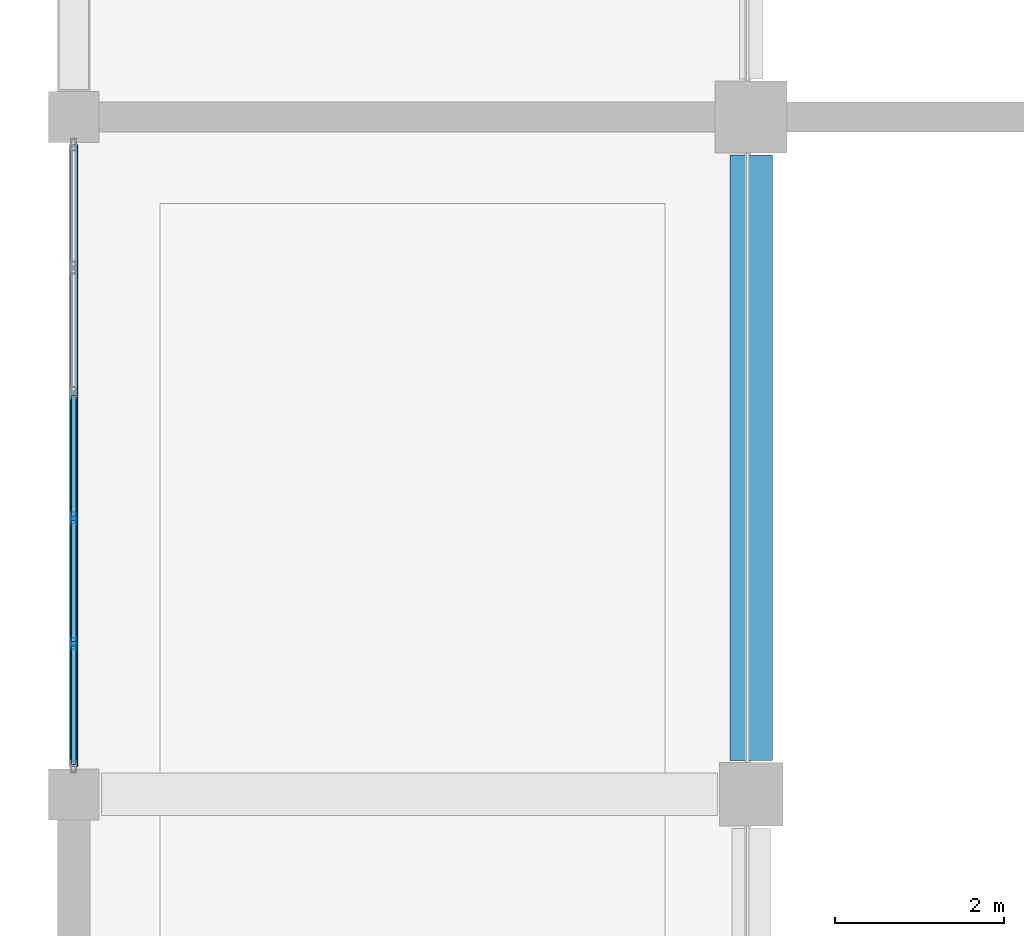
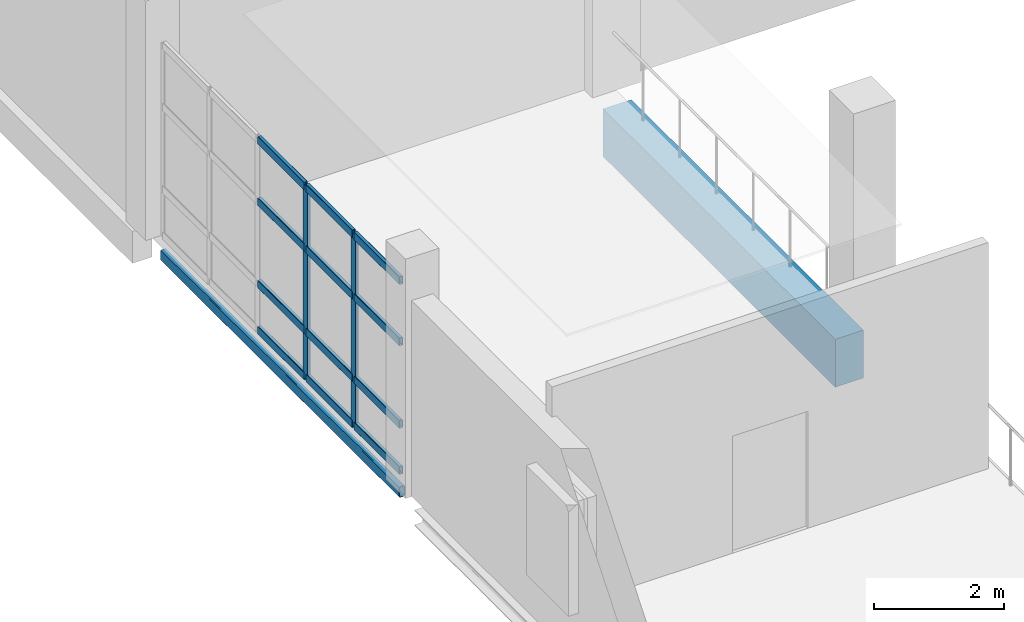
# One storey, part 44 of 183: 14 members, 2 beams, 1 element without a shape of its own.
"""IFC4 building model written with IfcOpenShell, lengths in metres."""

from ifc_helpers import new_model, si_unit, direction, frame, origin, origin_2d, place, context, subcontext, project, spatial, rectangle, hollow_rectangle, extrude, material, material_profile, profile_set, type_object, element, aggregate, save


model = new_model("IFC4")

# Units and contexts
model_context = context("Model", 3, precision=1e-05, world=origin(), true_north=direction((0.0, 1.0)))
body_context = subcontext(model_context, "Body", "Model", "MODEL_VIEW")
ifc_project = project(units=[si_unit("LENGTHUNIT", "METRE"), si_unit("AREAUNIT", "SQUARE_METRE"), si_unit("VOLUMEUNIT", "CUBIC_METRE"), si_unit("PLANEANGLEUNIT", "RADIAN"), si_unit("MASSUNIT", "GRAM", prefix="KILO")], contexts=[model_context])

# Site, building, storey
site_placement = place(None, origin())
site = spatial("IfcSite", under=ifc_project, at=site_placement, CompositionType="ELEMENT")
building_placement = place(site_placement, origin())
building = spatial("IfcBuilding", under=site, at=building_placement, Name="Luwemba Playhouse", CompositionType="ELEMENT")
storey_placement = place(building_placement, frame((0.0, 0.0, 4.800048828125)))
storey = spatial("IfcBuildingStorey", under=building, at=storey_placement, Name="L01", CompositionType="ELEMENT", Elevation=4.800048828125)

# Beams
ifc_material_1 = material(Name="Concrete C40/50", Category="concrete")
ifc_material_profile_1 = material_profile(ifc_material_1, rectangle(XDim=0.5, YDim=0.89990234375, at=origin_2d()))
ifc_profile_set_1 = profile_set([ifc_material_profile_1], Name="Concrete C40/50")
beam_type_1 = type_object("IfcBeamType", Name="BM-RB07", PredefinedType="BEAM", material=ifc_profile_set_1)
beam_1_placement = place(storey_placement, frame((12.0, 60.39990234375, -0.699951171875), z_axis=(0.0, 1.0, 0.0), x_axis=(-1.0, 0.0, 0.0)))
element("IfcBeam", 1, at=beam_1_placement, inside=storey, type_object=beam_type_1, Name="L01 transverse girder 0363", PredefinedType="BEAM", context=body_context, shape_type="SweptSolid", body=[
    extrude(rectangle(XDim=0.5, YDim=0.89990234375, at=origin_2d()), origin(), (0.0, 0.0, 1.0), 7.150146484375),
])
ifc_material_2 = material(Name="Steel S355", Category="steel")
ifc_material_profile_2 = material_profile(ifc_material_2, hollow_rectangle(XDim=0.10009765625, YDim=0.199951171875, WallThickness=0.008056640625, InnerFilletRadius=0.011962890625, OuterFilletRadius=0.02001953125, at=origin_2d()))
ifc_profile_set_2 = profile_set([ifc_material_profile_2], Name="Steel S355")
beam_type_2 = type_object("IfcBeamType", Name="BM-SSP2", PredefinedType="SPANDREL", material=ifc_profile_set_2)
beam_2_placement = place(storey_placement, frame((4.0, 60.324951171875, -0.35009765625), z_axis=(0.0, 1.0, 0.0), x_axis=(-1.0, 0.0, 0.0)))
element("IfcBeam", 2, at=beam_2_placement, inside=storey, type_object=beam_type_2, Name="L01 transverse girder 0359", PredefinedType="SPANDREL", context=body_context, shape_type="SweptSolid", body=[
    extrude(hollow_rectangle(XDim=0.10009765625, YDim=0.199951171875, WallThickness=0.008056640625, InnerFilletRadius=0.011962890625, OuterFilletRadius=0.02001953125, at=origin_2d()), origin(), (0.0, 0.0, 1.0), 7.35009765625),
])

# Curtain wall, members
ifc_material_3 = material(Name="Solar-control double glazing", Category="glass")
curtain_wall_type = type_object("IfcCurtainWallType", Name="CW-CW72", PredefinedType="USERDEFINED", material=ifc_material_3)
curtain_wall_placement = place(storey_placement, origin())
curtain_wall = element("IfcCurtainWall", 3, at=curtain_wall_placement, inside=storey, type_object=curtain_wall_type, Name="L01 V1 unitised curtain wall 096", ObjectType="UNITISED GLAZING", PredefinedType="USERDEFINED")
ifc_material_4 = material(Name="Aluminium 6063-T6", Category="aluminium")
ifc_material_profile_3 = material_profile(ifc_material_4, hollow_rectangle(XDim=0.054931640625, YDim=0.139892578125, WallThickness=0.00390625, InnerFilletRadius=0.006103515625, OuterFilletRadius=0.010009765625, at=origin_2d()))
ifc_profile_set_3 = profile_set([ifc_material_profile_3], Name="Aluminium 6063-T6")
member_type_1 = type_object("IfcMemberType", Name="CWM-M3", PredefinedType="MULLION", material=ifc_profile_set_3)
member_1_placement = place(storey_placement, frame((4.0, 61.780029296875, 0.0), z_axis=(0.0, 0.0, 1.0), x_axis=(-1.0, 0.0, 0.0)))
member_1 = element("IfcMember", 4, at=member_1_placement, type_object=member_type_1, Name="CW72 mullion 2", PredefinedType="MULLION", context=body_context, shape_type="SweptSolid", body=[
    extrude(hollow_rectangle(XDim=0.054931640625, YDim=0.139892578125, WallThickness=0.00390625, InnerFilletRadius=0.006103515625, OuterFilletRadius=0.010009765625, at=origin_2d()), origin(), (0.0, 0.0, 1.0), 3.635009765625),
])
member_2_placement = place(storey_placement, frame((4.0, 63.260009765625, 0.0), z_axis=(0.0, 0.0, 1.0), x_axis=(-1.0, 0.0, 0.0)))
member_2 = element("IfcMember", 5, at=member_2_placement, type_object=member_type_1, Name="CW72 mullion 3", PredefinedType="MULLION", context=body_context, shape_type="SweptSolid", body=[
    extrude(hollow_rectangle(XDim=0.054931640625, YDim=0.139892578125, WallThickness=0.00390625, InnerFilletRadius=0.006103515625, OuterFilletRadius=0.010009765625, at=origin_2d()), origin(), (0.0, 0.0, 1.0), 3.635009765625),
])
ifc_material_profile_4 = material_profile(ifc_material_4, hollow_rectangle(XDim=0.06494140625, YDim=0.14990234375, WallThickness=0.00390625, InnerFilletRadius=0.006103515625, OuterFilletRadius=0.010009765625, at=origin_2d()))
ifc_profile_set_4 = profile_set([ifc_material_profile_4], Name="Aluminium 6063-T6")
member_type_2 = type_object("IfcMemberType", Name="CWT-T3", PredefinedType="USERDEFINED", material=ifc_profile_set_4)
member_3_placement = place(storey_placement, frame((4.0, 60.35498046875, 0.032470703125), z_axis=(0.0, 1.0, 0.0), x_axis=(-1.0, 0.0, 0.0)))
member_3 = element("IfcMember", 6, at=member_3_placement, type_object=member_type_2, Name="CW72 transom 1.1", ObjectType="TRANSOM", PredefinedType="USERDEFINED", context=body_context, shape_type="SweptSolid", body=[
    extrude(hollow_rectangle(XDim=0.06494140625, YDim=0.14990234375, WallThickness=0.00390625, InnerFilletRadius=0.006103515625, OuterFilletRadius=0.010009765625, at=origin_2d()), origin(), (0.0, 0.0, 1.0), 1.3974609375),
])
member_4_placement = place(storey_placement, frame((4.0, 60.35498046875, 0.89990234375), z_axis=(0.0, 1.0, 0.0), x_axis=(-1.0, 0.0, 0.0)))
member_4 = element("IfcMember", 7, at=member_4_placement, type_object=member_type_2, Name="CW72 transom 1.2", ObjectType="TRANSOM", PredefinedType="USERDEFINED", context=body_context, shape_type="SweptSolid", body=[
    extrude(hollow_rectangle(XDim=0.06494140625, YDim=0.14990234375, WallThickness=0.00390625, InnerFilletRadius=0.006103515625, OuterFilletRadius=0.010009765625, at=origin_2d()), origin(), (0.0, 0.0, 1.0), 1.3974609375),
])
member_5_placement = place(storey_placement, frame((4.0, 60.35498046875, 2.449951171875), z_axis=(0.0, 1.0, 0.0), x_axis=(-1.0, 0.0, 0.0)))
member_5 = element("IfcMember", 8, at=member_5_placement, type_object=member_type_2, Name="CW72 transom 1.3", ObjectType="TRANSOM", PredefinedType="USERDEFINED", context=body_context, shape_type="SweptSolid", body=[
    extrude(hollow_rectangle(XDim=0.06494140625, YDim=0.14990234375, WallThickness=0.00390625, InnerFilletRadius=0.006103515625, OuterFilletRadius=0.010009765625, at=origin_2d()), origin(), (0.0, 0.0, 1.0), 1.3974609375),
])
member_6_placement = place(storey_placement, frame((4.0, 60.35498046875, 3.6025390625), z_axis=(0.0, 1.0, 0.0), x_axis=(-1.0, 0.0, 0.0)))
member_6 = element("IfcMember", 9, at=member_6_placement, type_object=member_type_2, Name="CW72 transom 1.4", ObjectType="TRANSOM", PredefinedType="USERDEFINED", context=body_context, shape_type="SweptSolid", body=[
    extrude(hollow_rectangle(XDim=0.06494140625, YDim=0.14990234375, WallThickness=0.00390625, InnerFilletRadius=0.006103515625, OuterFilletRadius=0.010009765625, at=origin_2d()), origin(), (0.0, 0.0, 1.0), 1.3974609375),
])
member_7_placement = place(storey_placement, frame((4.0, 61.8076171875, 0.032470703125), z_axis=(0.0, 1.0, 0.0), x_axis=(-1.0, 0.0, 0.0)))
member_7 = element("IfcMember", 10, at=member_7_placement, type_object=member_type_2, Name="CW72 transom 2.1", ObjectType="TRANSOM", PredefinedType="USERDEFINED", context=body_context, shape_type="SweptSolid", body=[
    extrude(hollow_rectangle(XDim=0.06494140625, YDim=0.14990234375, WallThickness=0.00390625, InnerFilletRadius=0.006103515625, OuterFilletRadius=0.010009765625, at=origin_2d()), origin(), (0.0, 0.0, 1.0), 1.4248046875),
])
member_8_placement = place(storey_placement, frame((4.0, 61.8076171875, 0.89990234375), z_axis=(0.0, 1.0, 0.0), x_axis=(-1.0, 0.0, 0.0)))
member_8 = element("IfcMember", 11, at=member_8_placement, type_object=member_type_2, Name="CW72 transom 2.2", ObjectType="TRANSOM", PredefinedType="USERDEFINED", context=body_context, shape_type="SweptSolid", body=[
    extrude(hollow_rectangle(XDim=0.06494140625, YDim=0.14990234375, WallThickness=0.00390625, InnerFilletRadius=0.006103515625, OuterFilletRadius=0.010009765625, at=origin_2d()), origin(), (0.0, 0.0, 1.0), 1.4248046875),
])
member_9_placement = place(storey_placement, frame((4.0, 61.8076171875, 2.449951171875), z_axis=(0.0, 1.0, 0.0), x_axis=(-1.0, 0.0, 0.0)))
member_9 = element("IfcMember", 12, at=member_9_placement, type_object=member_type_2, Name="CW72 transom 2.3", ObjectType="TRANSOM", PredefinedType="USERDEFINED", context=body_context, shape_type="SweptSolid", body=[
    extrude(hollow_rectangle(XDim=0.06494140625, YDim=0.14990234375, WallThickness=0.00390625, InnerFilletRadius=0.006103515625, OuterFilletRadius=0.010009765625, at=origin_2d()), origin(), (0.0, 0.0, 1.0), 1.4248046875),
])
member_10_placement = place(storey_placement, frame((4.0, 61.8076171875, 3.6025390625), z_axis=(0.0, 1.0, 0.0), x_axis=(-1.0, 0.0, 0.0)))
member_10 = element("IfcMember", 13, at=member_10_placement, type_object=member_type_2, Name="CW72 transom 2.4", ObjectType="TRANSOM", PredefinedType="USERDEFINED", context=body_context, shape_type="SweptSolid", body=[
    extrude(hollow_rectangle(XDim=0.06494140625, YDim=0.14990234375, WallThickness=0.00390625, InnerFilletRadius=0.006103515625, OuterFilletRadius=0.010009765625, at=origin_2d()), origin(), (0.0, 0.0, 1.0), 1.4248046875),
])
member_11_placement = place(storey_placement, frame((4.0, 63.28759765625, 0.032470703125), z_axis=(0.0, 1.0, 0.0), x_axis=(-1.0, 0.0, 0.0)))
member_11 = element("IfcMember", 14, at=member_11_placement, type_object=member_type_2, Name="CW72 transom 3.1", ObjectType="TRANSOM", PredefinedType="USERDEFINED", context=body_context, shape_type="SweptSolid", body=[
    extrude(hollow_rectangle(XDim=0.06494140625, YDim=0.14990234375, WallThickness=0.00390625, InnerFilletRadius=0.006103515625, OuterFilletRadius=0.010009765625, at=origin_2d()), origin(), (0.0, 0.0, 1.0), 1.4248046875),
])
member_12_placement = place(storey_placement, frame((4.0, 63.28759765625, 0.89990234375), z_axis=(0.0, 1.0, 0.0), x_axis=(-1.0, 0.0, 0.0)))
member_12 = element("IfcMember", 15, at=member_12_placement, type_object=member_type_2, Name="CW72 transom 3.2", ObjectType="TRANSOM", PredefinedType="USERDEFINED", context=body_context, shape_type="SweptSolid", body=[
    extrude(hollow_rectangle(XDim=0.06494140625, YDim=0.14990234375, WallThickness=0.00390625, InnerFilletRadius=0.006103515625, OuterFilletRadius=0.010009765625, at=origin_2d()), origin(), (0.0, 0.0, 1.0), 1.4248046875),
])
member_13_placement = place(storey_placement, frame((4.0, 63.28759765625, 2.449951171875), z_axis=(0.0, 1.0, 0.0), x_axis=(-1.0, 0.0, 0.0)))
member_13 = element("IfcMember", 16, at=member_13_placement, type_object=member_type_2, Name="CW72 transom 3.3", ObjectType="TRANSOM", PredefinedType="USERDEFINED", context=body_context, shape_type="SweptSolid", body=[
    extrude(hollow_rectangle(XDim=0.06494140625, YDim=0.14990234375, WallThickness=0.00390625, InnerFilletRadius=0.006103515625, OuterFilletRadius=0.010009765625, at=origin_2d()), origin(), (0.0, 0.0, 1.0), 1.4248046875),
])
member_14_placement = place(storey_placement, frame((4.0, 63.28759765625, 3.6025390625), z_axis=(0.0, 1.0, 0.0), x_axis=(-1.0, 0.0, 0.0)))
member_14 = element("IfcMember", 17, at=member_14_placement, type_object=member_type_2, Name="CW72 transom 3.4", ObjectType="TRANSOM", PredefinedType="USERDEFINED", context=body_context, shape_type="SweptSolid", body=[
    extrude(hollow_rectangle(XDim=0.06494140625, YDim=0.14990234375, WallThickness=0.00390625, InnerFilletRadius=0.006103515625, OuterFilletRadius=0.010009765625, at=origin_2d()), origin(), (0.0, 0.0, 1.0), 1.4248046875),
])
aggregate(curtain_wall, [member_1, member_2, member_3, member_4, member_5, member_6, member_7, member_8, member_9, member_10, member_11, member_12, member_13, member_14])

save(model, "model.ifc")
